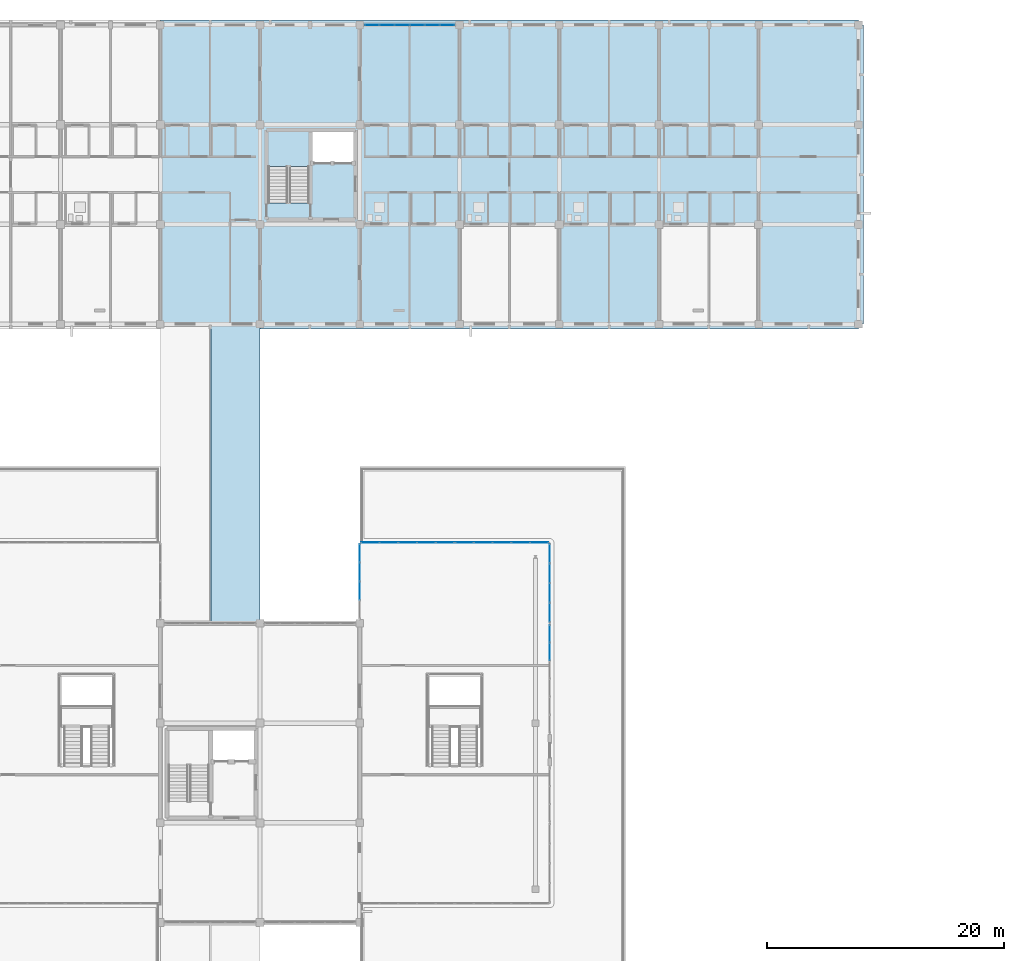
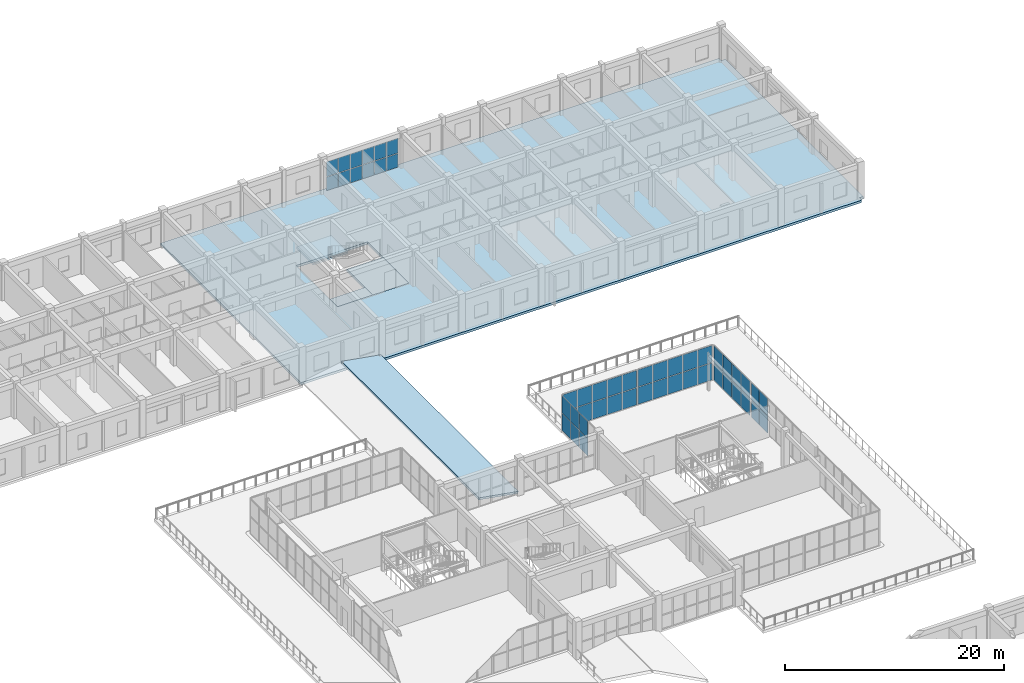
# One storey, part 57 of 90: 50 plates, 5 slabs, 7 elements without a shape of their own.
"""IFC4 building model written with IfcOpenShell, lengths in metres."""

import ifcopenshell
import ifcopenshell.guid

model = None  # the IFC model being written
_history = None  # IfcOwnerHistory: only IFC2X3 demands one
_inside = {}  # id of a spatial element -> (the spatial element, [elements in it])
_under = {}  # id of a project, library or spatial element -> (it, [spatial elements below it])
_declared = {}  # id of a project -> (the project, [libraries it declares])
_typed = {}  # id of a type object -> (the type object, [elements of that type])
_made_of = {}  # id of a material, layer set ... -> (it, [elements and type objects made of it])


def new_model(schema):
    """Start an empty IFC model of exactly this schema.

    Asked for "IFC4X3", IfcOpenShell would pick the latest addendum, in which some entities
    have other attributes; the version numbers below select the first issue.
    IFC2X3 requires an IfcOwnerHistory on every rooted entity: one is made here for all.
    """
    global model, _history
    if schema == "IFC4X3":
        model = ifcopenshell.file(schema_version=(4, 3, 0, 0))
    else:
        model = ifcopenshell.file(schema=schema)
    _inside.clear()
    _under.clear()
    _declared.clear()
    _typed.clear()
    _made_of.clear()
    _history = None
    if model.schema == "IFC2X3":
        org = make("IfcOrganization", Name="unknown")
        user = make(
            "IfcPersonAndOrganization",
            ThePerson=make("IfcPerson", FamilyName="unknown"),
            TheOrganization=org,
        )
        app = make(
            "IfcApplication",
            ApplicationDeveloper=org,
            Version="unknown",
            ApplicationFullName="unknown",
            ApplicationIdentifier="unknown",
        )
        _history = make(
            "IfcOwnerHistory",
            OwningUser=user,
            OwningApplication=app,
            ChangeAction="ADDED",
            CreationDate=0,
        )
    return model


def make(cls, **values):
    """One entity of the class cls with the attributes given. An attribute that is None is left unset."""
    return model.create_entity(
        cls, **{name: value for name, value in values.items() if value is not None}
    )


def rooted(cls, **values):
    """An entity with a GlobalId (a new one), such as an element, a storey or a relation."""
    return make(cls, GlobalId=ifcopenshell.guid.new(), OwnerHistory=_history, **values)


def si_unit(unit_type, name, prefix=None):
    """IfcSIUnit, for example si_unit("LENGTHUNIT", "METRE", prefix="MILLI")."""
    return make("IfcSIUnit", UnitType=unit_type, Prefix=prefix, Name=name)


def assignment(units):
    """IfcUnitAssignment: the units of a project."""
    return None if units is None else make("IfcUnitAssignment", Units=units)


def point(xyz):
    """IfcCartesianPoint."""
    return None if xyz is None else make("IfcCartesianPoint", Coordinates=xyz)


def direction(xyz):
    """IfcDirection."""
    return None if xyz is None else make("IfcDirection", DirectionRatios=xyz)


def frame(location, z_axis=None, x_axis=None):
    """IfcAxis2Placement3D, a coordinate frame: its origin and axes. An axis left out is left unset."""
    return make(
        "IfcAxis2Placement3D",
        Location=point(location),
        Axis=direction(z_axis),
        RefDirection=direction(x_axis),
    )


def frame_2d(location, x_axis=None):
    """IfcAxis2Placement2D, a coordinate frame in the plane: its origin and x axis."""
    return make(
        "IfcAxis2Placement2D", Location=point(location), RefDirection=direction(x_axis)
    )


def origin():
    """The frame at (0, 0, 0) with its axes left unset."""
    return frame((0.0, 0.0, 0.0))


def origin_2d():
    """The frame at (0, 0) in the plane with its x axis left unset."""
    return frame_2d((0.0, 0.0))


def place(relative_to, where):
    """IfcLocalPlacement: puts the frame where relative to a parent placement (None: the world)."""
    return make(
        "IfcLocalPlacement", PlacementRelTo=relative_to, RelativePlacement=where
    )


def context(
    kind, dimensions, precision=None, world=None, true_north=None, identifier=None
):
    """IfcGeometricRepresentationContext, for example the 3D "Model" context."""
    return make(
        "IfcGeometricRepresentationContext",
        ContextIdentifier=identifier,
        ContextType=kind,
        CoordinateSpaceDimension=dimensions,
        Precision=precision,
        WorldCoordinateSystem=world,
        TrueNorth=true_north,
    )


def subcontext(parent, identifier, kind, view, scale=None):
    """IfcGeometricRepresentationSubContext, for example "Body" below "Model"."""
    return make(
        "IfcGeometricRepresentationSubContext",
        ContextIdentifier=identifier,
        ContextType=kind,
        ParentContext=parent,
        TargetScale=scale,
        TargetView=view,
    )


def project(units=None, contexts=None):
    """IfcProject with its units and contexts."""
    return rooted(
        "IfcProject",
        Name="project",
        RepresentationContexts=contexts,
        UnitsInContext=assignment(units),
    )


def spatial(cls, under=None, at=None, **own):
    """A site, building, storey or space (cls), placed at a placement, below another one or the project."""
    s = rooted(cls, ObjectPlacement=at, **own)
    if under is not None:
        _under.setdefault(under.id(), (under, []))[1].append(s)
    return s


def polyline(points):
    """IfcPolyline through the points."""
    return make("IfcPolyline", Points=[point(p) for p in points])


def profile(cls, at=None, kind="AREA", **sizes):
    """A parametric profile (cls). Its sizes go by their IFC names, for example OverallWidth=200.0."""
    return make(cls, ProfileType=kind, Position=at, **sizes)


def rectangle(**sizes):
    """IfcRectangleProfileDef."""
    return profile("IfcRectangleProfileDef", **sizes)


def outline(outer, holes=None, kind="AREA"):
    """IfcArbitraryClosedProfileDef: a profile drawn as a closed curve; with holes, ...WithVoids."""
    if holes is None:
        return make("IfcArbitraryClosedProfileDef", ProfileType=kind, OuterCurve=outer)
    return make(
        "IfcArbitraryProfileDefWithVoids",
        ProfileType=kind,
        OuterCurve=outer,
        InnerCurves=holes,
    )


def extrude(swept, where, along, depth):
    """IfcExtrudedAreaSolid: the profile swept, set in the frame where, extruded along a direction by depth."""
    return make(
        "IfcExtrudedAreaSolid",
        SweptArea=swept,
        Position=where,
        ExtrudedDirection=direction(along),
        Depth=depth,
    )


def shape(context_of_items, identifier, shape_type, items):
    """IfcShapeRepresentation: the items that make up one representation, for example the "Body"."""
    return make(
        "IfcShapeRepresentation",
        ContextOfItems=context_of_items,
        RepresentationIdentifier=identifier,
        RepresentationType=shape_type,
        Items=items,
    )


def material(Name=None, Category=None):
    """IfcMaterial."""
    return make("IfcMaterial", Name=Name, Category=Category)


def layer(
    of_material, thickness, ventilated=None, Name=None, Category=None, Priority=None
):
    """IfcMaterialLayer: one layer of a wall or slab, of a material (None: an air gap)."""
    return make(
        "IfcMaterialLayer",
        Material=of_material,
        LayerThickness=thickness,
        IsVentilated=ventilated,
        Name=Name,
        Category=Category,
        Priority=Priority,
    )


def layer_set(layers, Name=None):
    """IfcMaterialLayerSet."""
    return make("IfcMaterialLayerSet", MaterialLayers=layers, LayerSetName=Name)


def made_of(thing, what):
    """Note that an element or type object is made of a material, layer set ...; save() writes the relation."""
    if what is not None:
        _made_of.setdefault(what.id(), (what, []))[1].append(thing)
    return thing


def type_object(cls, material=None, **own):
    """A type object (cls), such as IfcWallType, which elements share."""
    return made_of(rooted(cls, **own), material)


def element(
    cls,
    number,
    at=None,
    inside=None,
    cuts=None,
    type_object=None,
    material=None,
    context=None,
    identifier="Body",
    shape_type=None,
    held_by="IfcProductDefinitionShape",
    body=None,
    shapes=None,
    **own,
):
    """One element of the class cls, such as IfcWall. Its Tag is "e" and its number.

    at: its placement. inside: the storey or other place that contains it. cuts: it is an
    opening in that element (IfcRelVoidsElement). A single representation is given by context,
    identifier, shape_type and body (its items); several are given by shapes. held_by: the class
    of the entity that holds the representations. save() writes the other relations.
    """
    e = rooted(cls, Tag="e%d" % number, ObjectPlacement=at, **own)
    if body is not None:
        shapes = [shape(context, identifier, shape_type, body)]
    if shapes is not None:
        e.Representation = make(held_by, Representations=shapes)
    if inside is not None:
        _inside.setdefault(inside.id(), (inside, []))[1].append(e)
    if cuts is not None:
        rooted(
            "IfcRelVoidsElement", RelatingBuildingElement=cuts, RelatedOpeningElement=e
        )
    if type_object is not None:
        _typed.setdefault(type_object.id(), (type_object, []))[1].append(e)
    return made_of(e, material)


def aggregate(whole, parts):
    """IfcRelAggregates: a whole, such as a stair, and the parts it consists of."""
    return rooted("IfcRelAggregates", RelatingObject=whole, RelatedObjects=parts)


def save(model, path):
    """Write the relations noted so far, then the file.

    IfcRelAggregates (storeys below a building ...), IfcRelContainedInSpatialStructure (elements
    in a storey), IfcRelDefinesByType, IfcRelAssociatesMaterial and IfcRelDeclares: one each for
    every whole, place, type object, material and project.
    """
    for whole, parts in _under.values():
        aggregate(whole, parts)
    for where, things in _inside.values():
        rooted(
            "IfcRelContainedInSpatialStructure",
            RelatedElements=things,
            RelatingStructure=where,
        )
    for kind, things in _typed.values():
        rooted("IfcRelDefinesByType", RelatedObjects=things, RelatingType=kind)
    for what, things in _made_of.values():
        rooted("IfcRelAssociatesMaterial", RelatedObjects=things, RelatingMaterial=what)
    for by, libraries in _declared.values():
        rooted("IfcRelDeclares", RelatingContext=by, RelatedDefinitions=libraries)
    model.write(path)


model = new_model("IFC4")

# Units and contexts
model_context = context("Model", 3, precision=1e-05, world=origin(), true_north=direction((0.0, 1.0)))
body_context = subcontext(model_context, "Body", "Model", "MODEL_VIEW")
ifc_project = project(units=[si_unit("LENGTHUNIT", "METRE"), si_unit("AREAUNIT", "SQUARE_METRE"), si_unit("VOLUMEUNIT", "CUBIC_METRE"), si_unit("PLANEANGLEUNIT", "RADIAN"), si_unit("MASSUNIT", "GRAM", prefix="KILO")], contexts=[model_context])

# Site, building, storey
site_placement = place(None, origin())
site = spatial("IfcSite", under=ifc_project, at=site_placement, CompositionType="ELEMENT")
building_placement = place(site_placement, origin())
building = spatial("IfcBuilding", under=site, at=building_placement, Name="Trelvath General Hospital", CompositionType="ELEMENT")
storey_placement = place(building_placement, frame((0.0, 0.0, 20.39990234375)))
storey = spatial("IfcBuildingStorey", under=building, at=storey_placement, Name="L05", CompositionType="ELEMENT", Elevation=20.39990234375)

# Curtain wall, plates
ifc_material_1 = material(Name="Anodised aluminium and low-E glass", Category="aluminium")
ifc_layer_1 = layer(ifc_material_1, 0.14990234375)
ifc_layer_set_1 = layer_set([ifc_layer_1], Name="Anodised aluminium and low-E glass")
curtain_wall_type_1 = type_object("IfcCurtainWallType", Name="CW Facade 764 334 15", PredefinedType="USERDEFINED", material=ifc_layer_set_1)
curtain_wall_1_placement = place(storey_placement, origin())
curtain_wall_1 = element("IfcCurtainWall", 1, at=curtain_wall_1_placement, inside=storey, type_object=curtain_wall_type_1, Name="Facade Curtain Wall CW-075", ObjectType="Unitised Glazed Curtain Wall", PredefinedType="USERDEFINED")
ifc_material_2 = material(Name="Low-E laminated glass", Category="glass")
ifc_layer_2 = layer(ifc_material_2, 0.028076171875)
ifc_layer_set_2 = layer_set([ifc_layer_2], Name="Low-E laminated glass")
plate_type = type_object("IfcPlateType", Name="CurtainPanel Glass28", PredefinedType="CURTAIN_PANEL", material=ifc_layer_set_2)
plate_1_placement = place(storey_placement, frame((93.431640625, 117.60009765625, 0.06005859375), z_axis=(0.0, 0.0, 1.0), x_axis=(1.0, 0.0, 0.0)))
plate_1 = element("IfcPlate", 2, at=plate_1_placement, type_object=plate_type, Name="CW-075 panel 1.1", PredefinedType="CURTAIN_PANEL", context=body_context, shape_type="SweptSolid", body=[
    extrude(rectangle(XDim=1.183349609375, YDim=0.028076171875, at=origin_2d()), origin(), (0.0, 0.0, 1.0), 1.512939453125),
])
plate_2_placement = place(storey_placement, frame((93.431640625, 117.60009765625, 1.633056640625), z_axis=(0.0, 0.0, 1.0), x_axis=(1.0, 0.0, 0.0)))
plate_2 = element("IfcPlate", 3, at=plate_2_placement, type_object=plate_type, Name="CW-075 panel 1.2", PredefinedType="CURTAIN_PANEL", context=body_context, shape_type="SweptSolid", body=[
    extrude(rectangle(XDim=1.183349609375, YDim=0.028076171875, at=origin_2d()), origin(), (0.0, 0.0, 1.0), 1.64697265625),
])
plate_3_placement = place(storey_placement, frame((94.68994140625, 117.60009765625, 0.06005859375), z_axis=(0.0, 0.0, 1.0), x_axis=(1.0, 0.0, 0.0)))
plate_3 = element("IfcPlate", 4, at=plate_3_placement, type_object=plate_type, Name="CW-075 panel 2.1", PredefinedType="CURTAIN_PANEL", context=body_context, shape_type="SweptSolid", body=[
    extrude(rectangle(XDim=1.21337890625, YDim=0.028076171875, at=origin_2d()), origin(), (0.0, 0.0, 1.0), 1.512939453125),
])
plate_4_placement = place(storey_placement, frame((94.68994140625, 117.60009765625, 1.633056640625), z_axis=(0.0, 0.0, 1.0), x_axis=(1.0, 0.0, 0.0)))
plate_4 = element("IfcPlate", 5, at=plate_4_placement, type_object=plate_type, Name="CW-075 panel 2.2", PredefinedType="CURTAIN_PANEL", context=body_context, shape_type="SweptSolid", body=[
    extrude(rectangle(XDim=1.21337890625, YDim=0.028076171875, at=origin_2d()), origin(), (0.0, 0.0, 1.0), 1.64697265625),
])
plate_5_placement = place(storey_placement, frame((95.96337890625, 117.60009765625, 0.06005859375), z_axis=(0.0, 0.0, 1.0), x_axis=(1.0, 0.0, 0.0)))
plate_5 = element("IfcPlate", 6, at=plate_5_placement, type_object=plate_type, Name="CW-075 panel 3.1", PredefinedType="CURTAIN_PANEL", context=body_context, shape_type="SweptSolid", body=[
    extrude(rectangle(XDim=1.21337890625, YDim=0.028076171875, at=origin_2d()), origin(), (0.0, 0.0, 1.0), 1.512939453125),
])
plate_6_placement = place(storey_placement, frame((95.96337890625, 117.60009765625, 1.633056640625), z_axis=(0.0, 0.0, 1.0), x_axis=(1.0, 0.0, 0.0)))
plate_6 = element("IfcPlate", 7, at=plate_6_placement, type_object=plate_type, Name="CW-075 panel 3.2", PredefinedType="CURTAIN_PANEL", context=body_context, shape_type="SweptSolid", body=[
    extrude(rectangle(XDim=1.21337890625, YDim=0.028076171875, at=origin_2d()), origin(), (0.0, 0.0, 1.0), 1.64697265625),
])
plate_7_placement = place(storey_placement, frame((97.236572265625, 117.60009765625, 0.06005859375), z_axis=(0.0, 0.0, 1.0), x_axis=(1.0, 0.0, 0.0)))
plate_7 = element("IfcPlate", 8, at=plate_7_placement, type_object=plate_type, Name="CW-075 panel 4.1", PredefinedType="CURTAIN_PANEL", context=body_context, shape_type="SweptSolid", body=[
    extrude(rectangle(XDim=1.21337890625, YDim=0.028076171875, at=origin_2d()), origin(), (0.0, 0.0, 1.0), 1.512939453125),
])
plate_8_placement = place(storey_placement, frame((97.236572265625, 117.60009765625, 1.633056640625), z_axis=(0.0, 0.0, 1.0), x_axis=(1.0, 0.0, 0.0)))
plate_8 = element("IfcPlate", 9, at=plate_8_placement, type_object=plate_type, Name="CW-075 panel 4.2", PredefinedType="CURTAIN_PANEL", context=body_context, shape_type="SweptSolid", body=[
    extrude(rectangle(XDim=1.21337890625, YDim=0.028076171875, at=origin_2d()), origin(), (0.0, 0.0, 1.0), 1.64697265625),
])
plate_9_placement = place(storey_placement, frame((98.510009765625, 117.60009765625, 0.06005859375), z_axis=(0.0, 0.0, 1.0), x_axis=(1.0, 0.0, 0.0)))
plate_9 = element("IfcPlate", 10, at=plate_9_placement, type_object=plate_type, Name="CW-075 panel 5.1", PredefinedType="CURTAIN_PANEL", context=body_context, shape_type="SweptSolid", body=[
    extrude(rectangle(XDim=1.21337890625, YDim=0.028076171875, at=origin_2d()), origin(), (0.0, 0.0, 1.0), 1.512939453125),
])
plate_10_placement = place(storey_placement, frame((98.510009765625, 117.60009765625, 1.633056640625), z_axis=(0.0, 0.0, 1.0), x_axis=(1.0, 0.0, 0.0)))
plate_10 = element("IfcPlate", 11, at=plate_10_placement, type_object=plate_type, Name="CW-075 panel 5.2", PredefinedType="CURTAIN_PANEL", context=body_context, shape_type="SweptSolid", body=[
    extrude(rectangle(XDim=1.21337890625, YDim=0.028076171875, at=origin_2d()), origin(), (0.0, 0.0, 1.0), 1.64697265625),
])
plate_11_placement = place(storey_placement, frame((99.768310546875, 117.60009765625, 0.06005859375), z_axis=(0.0, 0.0, 1.0), x_axis=(1.0, 0.0, 0.0)))
plate_11 = element("IfcPlate", 12, at=plate_11_placement, type_object=plate_type, Name="CW-075 panel 6.1", PredefinedType="CURTAIN_PANEL", context=body_context, shape_type="SweptSolid", body=[
    extrude(rectangle(XDim=1.183349609375, YDim=0.028076171875, at=origin_2d()), origin(), (0.0, 0.0, 1.0), 1.512939453125),
])
plate_12_placement = place(storey_placement, frame((99.768310546875, 117.60009765625, 1.633056640625), z_axis=(0.0, 0.0, 1.0), x_axis=(1.0, 0.0, 0.0)))
plate_12 = element("IfcPlate", 13, at=plate_12_placement, type_object=plate_type, Name="CW-075 panel 6.2", PredefinedType="CURTAIN_PANEL", context=body_context, shape_type="SweptSolid", body=[
    extrude(rectangle(XDim=1.183349609375, YDim=0.028076171875, at=origin_2d()), origin(), (0.0, 0.0, 1.0), 1.64697265625),
])
aggregate(curtain_wall_1, [plate_1, plate_2, plate_3, plate_4, plate_5, plate_6, plate_7, plate_8, plate_9, plate_10, plate_11, plate_12])

ifc_material_3 = material(Name="Anodised aluminium and low-E glass", Category="aluminium")
ifc_layer_3 = layer(ifc_material_3, 0.14990234375)
ifc_layer_set_3 = layer_set([ifc_layer_3], Name="Anodised aluminium and low-E glass")
curtain_wall_type_2 = type_object("IfcCurtainWallType", Name="CW CrystalCube 790 396 15", PredefinedType="USERDEFINED", material=ifc_layer_set_3)
curtain_wall_2_placement = place(storey_placement, origin())
curtain_wall_2 = element("IfcCurtainWall", 14, at=curtain_wall_2_placement, inside=storey, type_object=curtain_wall_type_2, Name="Crystal Cube Curtain Wall CUBE-E-T2 N1 L05", ObjectType="Unitised Glazed Curtain Wall", PredefinedType="USERDEFINED")
plate_13_placement = place(storey_placement, frame((93.284912109375, 74.0, 0.06005859375), z_axis=(0.0, 0.0, 1.0), x_axis=(1.0, 0.0, 0.0)))
plate_13 = element("IfcPlate", 15, at=plate_13_placement, type_object=plate_type, Name="CW-317 panel 1.1", PredefinedType="CURTAIN_PANEL", context=body_context, shape_type="SweptSolid", body=[
    extrude(rectangle(XDim=1.489990234375, YDim=0.028076171875, at=origin_2d()), origin(), (0.0, 0.0, 1.0), 1.889892578125),
])
plate_14_placement = place(storey_placement, frame((93.284912109375, 74.0, 2.01025390625), z_axis=(0.0, 0.0, 1.0), x_axis=(1.0, 0.0, 0.0)))
plate_14 = element("IfcPlate", 16, at=plate_14_placement, type_object=plate_type, Name="CW-317 panel 1.2", PredefinedType="CURTAIN_PANEL", context=body_context, shape_type="SweptSolid", body=[
    extrude(rectangle(XDim=1.489990234375, YDim=0.028076171875, at=origin_2d()), origin(), (0.0, 0.0, 1.0), 1.889892578125),
])
plate_15_placement = place(storey_placement, frame((94.85009765625, 74.0, 0.06005859375), z_axis=(0.0, 0.0, 1.0), x_axis=(1.0, 0.0, 0.0)))
plate_15 = element("IfcPlate", 17, at=plate_15_placement, type_object=plate_type, Name="CW-317 panel 2.1", PredefinedType="CURTAIN_PANEL", context=body_context, shape_type="SweptSolid", body=[
    extrude(rectangle(XDim=1.52001953125, YDim=0.028076171875, at=origin_2d()), origin(), (0.0, 0.0, 1.0), 1.889892578125),
])
plate_16_placement = place(storey_placement, frame((94.85009765625, 74.0, 2.01025390625), z_axis=(0.0, 0.0, 1.0), x_axis=(1.0, 0.0, 0.0)))
plate_16 = element("IfcPlate", 18, at=plate_16_placement, type_object=plate_type, Name="CW-317 panel 2.2", PredefinedType="CURTAIN_PANEL", context=body_context, shape_type="SweptSolid", body=[
    extrude(rectangle(XDim=1.52001953125, YDim=0.028076171875, at=origin_2d()), origin(), (0.0, 0.0, 1.0), 1.889892578125),
])
plate_17_placement = place(storey_placement, frame((96.429931640625, 74.0, 0.06005859375), z_axis=(0.0, 0.0, 1.0), x_axis=(1.0, 0.0, 0.0)))
plate_17 = element("IfcPlate", 19, at=plate_17_placement, type_object=plate_type, Name="CW-317 panel 3.1", PredefinedType="CURTAIN_PANEL", context=body_context, shape_type="SweptSolid", body=[
    extrude(rectangle(XDim=1.52001953125, YDim=0.028076171875, at=origin_2d()), origin(), (0.0, 0.0, 1.0), 1.889892578125),
])
plate_18_placement = place(storey_placement, frame((96.429931640625, 74.0, 2.01025390625), z_axis=(0.0, 0.0, 1.0), x_axis=(1.0, 0.0, 0.0)))
plate_18 = element("IfcPlate", 20, at=plate_18_placement, type_object=plate_type, Name="CW-317 panel 3.2", PredefinedType="CURTAIN_PANEL", context=body_context, shape_type="SweptSolid", body=[
    extrude(rectangle(XDim=1.52001953125, YDim=0.028076171875, at=origin_2d()), origin(), (0.0, 0.0, 1.0), 1.889892578125),
])
plate_19_placement = place(storey_placement, frame((98.010009765625, 74.0, 0.06005859375), z_axis=(0.0, 0.0, 1.0), x_axis=(1.0, 0.0, 0.0)))
plate_19 = element("IfcPlate", 21, at=plate_19_placement, type_object=plate_type, Name="CW-317 panel 4.1", PredefinedType="CURTAIN_PANEL", context=body_context, shape_type="SweptSolid", body=[
    extrude(rectangle(XDim=1.52001953125, YDim=0.028076171875, at=origin_2d()), origin(), (0.0, 0.0, 1.0), 1.889892578125),
])
plate_20_placement = place(storey_placement, frame((98.010009765625, 74.0, 2.01025390625), z_axis=(0.0, 0.0, 1.0), x_axis=(1.0, 0.0, 0.0)))
plate_20 = element("IfcPlate", 22, at=plate_20_placement, type_object=plate_type, Name="CW-317 panel 4.2", PredefinedType="CURTAIN_PANEL", context=body_context, shape_type="SweptSolid", body=[
    extrude(rectangle(XDim=1.52001953125, YDim=0.028076171875, at=origin_2d()), origin(), (0.0, 0.0, 1.0), 1.889892578125),
])
plate_21_placement = place(storey_placement, frame((99.574951171875, 74.0, 0.06005859375), z_axis=(0.0, 0.0, 1.0), x_axis=(1.0, 0.0, 0.0)))
plate_21 = element("IfcPlate", 23, at=plate_21_placement, type_object=plate_type, Name="CW-317 panel 5.1", PredefinedType="CURTAIN_PANEL", context=body_context, shape_type="SweptSolid", body=[
    extrude(rectangle(XDim=1.489990234375, YDim=0.028076171875, at=origin_2d()), origin(), (0.0, 0.0, 1.0), 1.889892578125),
])
plate_22_placement = place(storey_placement, frame((99.574951171875, 74.0, 2.01025390625), z_axis=(0.0, 0.0, 1.0), x_axis=(1.0, 0.0, 0.0)))
plate_22 = element("IfcPlate", 24, at=plate_22_placement, type_object=plate_type, Name="CW-317 panel 5.2", PredefinedType="CURTAIN_PANEL", context=body_context, shape_type="SweptSolid", body=[
    extrude(rectangle(XDim=1.489990234375, YDim=0.028076171875, at=origin_2d()), origin(), (0.0, 0.0, 1.0), 1.889892578125),
])
aggregate(curtain_wall_2, [plate_13, plate_14, plate_15, plate_16, plate_17, plate_18, plate_19, plate_20, plate_21, plate_22])

curtain_wall_3_placement = place(storey_placement, origin())
curtain_wall_3 = element("IfcCurtainWall", 25, at=curtain_wall_3_placement, inside=storey, type_object=curtain_wall_type_2, Name="Crystal Cube Curtain Wall CUBE-E-T2 N2 L05", ObjectType="Unitised Glazed Curtain Wall", PredefinedType="USERDEFINED")
plate_23_placement = place(storey_placement, frame((101.22509765625, 74.0, 0.06005859375), z_axis=(0.0, 0.0, 1.0), x_axis=(1.0, 0.0, 0.0)))
plate_23 = element("IfcPlate", 26, at=plate_23_placement, type_object=plate_type, Name="CW-318 panel 1.1", PredefinedType="CURTAIN_PANEL", context=body_context, shape_type="SweptSolid", body=[
    extrude(rectangle(XDim=1.489990234375, YDim=0.028076171875, at=origin_2d()), origin(), (0.0, 0.0, 1.0), 1.889892578125),
])
plate_24_placement = place(storey_placement, frame((101.22509765625, 74.0, 2.01025390625), z_axis=(0.0, 0.0, 1.0), x_axis=(1.0, 0.0, 0.0)))
plate_24 = element("IfcPlate", 27, at=plate_24_placement, type_object=plate_type, Name="CW-318 panel 1.2", PredefinedType="CURTAIN_PANEL", context=body_context, shape_type="SweptSolid", body=[
    extrude(rectangle(XDim=1.489990234375, YDim=0.028076171875, at=origin_2d()), origin(), (0.0, 0.0, 1.0), 1.889892578125),
])
plate_25_placement = place(storey_placement, frame((102.7900390625, 74.0, 0.06005859375), z_axis=(0.0, 0.0, 1.0), x_axis=(1.0, 0.0, 0.0)))
plate_25 = element("IfcPlate", 28, at=plate_25_placement, type_object=plate_type, Name="CW-318 panel 2.1", PredefinedType="CURTAIN_PANEL", context=body_context, shape_type="SweptSolid", body=[
    extrude(rectangle(XDim=1.52001953125, YDim=0.028076171875, at=origin_2d()), origin(), (0.0, 0.0, 1.0), 1.889892578125),
])
plate_26_placement = place(storey_placement, frame((102.7900390625, 74.0, 2.01025390625), z_axis=(0.0, 0.0, 1.0), x_axis=(1.0, 0.0, 0.0)))
plate_26 = element("IfcPlate", 29, at=plate_26_placement, type_object=plate_type, Name="CW-318 panel 2.2", PredefinedType="CURTAIN_PANEL", context=body_context, shape_type="SweptSolid", body=[
    extrude(rectangle(XDim=1.52001953125, YDim=0.028076171875, at=origin_2d()), origin(), (0.0, 0.0, 1.0), 1.889892578125),
])
plate_27_placement = place(storey_placement, frame((104.3701171875, 74.0, 0.06005859375), z_axis=(0.0, 0.0, 1.0), x_axis=(1.0, 0.0, 0.0)))
plate_27 = element("IfcPlate", 30, at=plate_27_placement, type_object=plate_type, Name="CW-318 panel 3.1", PredefinedType="CURTAIN_PANEL", context=body_context, shape_type="SweptSolid", body=[
    extrude(rectangle(XDim=1.52001953125, YDim=0.028076171875, at=origin_2d()), origin(), (0.0, 0.0, 1.0), 1.889892578125),
])
plate_28_placement = place(storey_placement, frame((104.3701171875, 74.0, 2.01025390625), z_axis=(0.0, 0.0, 1.0), x_axis=(1.0, 0.0, 0.0)))
plate_28 = element("IfcPlate", 31, at=plate_28_placement, type_object=plate_type, Name="CW-318 panel 3.2", PredefinedType="CURTAIN_PANEL", context=body_context, shape_type="SweptSolid", body=[
    extrude(rectangle(XDim=1.52001953125, YDim=0.028076171875, at=origin_2d()), origin(), (0.0, 0.0, 1.0), 1.889892578125),
])
plate_29_placement = place(storey_placement, frame((105.949951171875, 74.0, 0.06005859375), z_axis=(0.0, 0.0, 1.0), x_axis=(1.0, 0.0, 0.0)))
plate_29 = element("IfcPlate", 32, at=plate_29_placement, type_object=plate_type, Name="CW-318 panel 4.1", PredefinedType="CURTAIN_PANEL", context=body_context, shape_type="SweptSolid", body=[
    extrude(rectangle(XDim=1.52001953125, YDim=0.028076171875, at=origin_2d()), origin(), (0.0, 0.0, 1.0), 1.889892578125),
])
plate_30_placement = place(storey_placement, frame((105.949951171875, 74.0, 2.01025390625), z_axis=(0.0, 0.0, 1.0), x_axis=(1.0, 0.0, 0.0)))
plate_30 = element("IfcPlate", 33, at=plate_30_placement, type_object=plate_type, Name="CW-318 panel 4.2", PredefinedType="CURTAIN_PANEL", context=body_context, shape_type="SweptSolid", body=[
    extrude(rectangle(XDim=1.52001953125, YDim=0.028076171875, at=origin_2d()), origin(), (0.0, 0.0, 1.0), 1.889892578125),
])
plate_31_placement = place(storey_placement, frame((107.514892578125, 74.0, 0.06005859375), z_axis=(0.0, 0.0, 1.0), x_axis=(1.0, 0.0, 0.0)))
plate_31 = element("IfcPlate", 34, at=plate_31_placement, type_object=plate_type, Name="CW-318 panel 5.1", PredefinedType="CURTAIN_PANEL", context=body_context, shape_type="SweptSolid", body=[
    extrude(rectangle(XDim=1.489990234375, YDim=0.028076171875, at=origin_2d()), origin(), (0.0, 0.0, 1.0), 1.889892578125),
])
plate_32_placement = place(storey_placement, frame((107.514892578125, 74.0, 2.01025390625), z_axis=(0.0, 0.0, 1.0), x_axis=(1.0, 0.0, 0.0)))
plate_32 = element("IfcPlate", 35, at=plate_32_placement, type_object=plate_type, Name="CW-318 panel 5.2", PredefinedType="CURTAIN_PANEL", context=body_context, shape_type="SweptSolid", body=[
    extrude(rectangle(XDim=1.489990234375, YDim=0.028076171875, at=origin_2d()), origin(), (0.0, 0.0, 1.0), 1.889892578125),
])
aggregate(curtain_wall_3, [plate_23, plate_24, plate_25, plate_26, plate_27, plate_28, plate_29, plate_30, plate_31, plate_32])

ifc_material_4 = material(Name="Anodised aluminium and low-E glass", Category="aluminium")
ifc_layer_4 = layer(ifc_material_4, 0.14990234375)
ifc_layer_set_4 = layer_set([ifc_layer_4], Name="Anodised aluminium and low-E glass")
curtain_wall_type_3 = type_object("IfcCurtainWallType", Name="CW CrystalCube 914 396 15", PredefinedType="USERDEFINED", material=ifc_layer_set_4)
curtain_wall_4_placement = place(storey_placement, origin())
curtain_wall_4 = element("IfcCurtainWall", 36, at=curtain_wall_4_placement, inside=storey, type_object=curtain_wall_type_3, Name="Crystal Cube Curtain Wall CUBE-E-T2 E4 L05", ObjectType="Unitised Glazed Curtain Wall", PredefinedType="USERDEFINED")
plate_33_placement = place(storey_placement, frame((108.39990234375, 66.34326171875, 0.06005859375), z_axis=(0.0, 0.0, 1.0), x_axis=(0.0, -1.0, 0.0)))
plate_33 = element("IfcPlate", 37, at=plate_33_placement, type_object=plate_type, Name="CW-321 panel 1.1", PredefinedType="CURTAIN_PANEL", context=body_context, shape_type="SweptSolid", body=[
    extrude(rectangle(XDim=1.433349609375, YDim=0.028076171875, at=origin_2d()), origin(), (0.0, 0.0, 1.0), 1.889892578125),
])
plate_34_placement = place(storey_placement, frame((108.39990234375, 66.34326171875, 2.01025390625), z_axis=(0.0, 0.0, 1.0), x_axis=(0.0, -1.0, 0.0)))
plate_34 = element("IfcPlate", 38, at=plate_34_placement, type_object=plate_type, Name="CW-321 panel 1.2", PredefinedType="CURTAIN_PANEL", context=body_context, shape_type="SweptSolid", body=[
    extrude(rectangle(XDim=1.433349609375, YDim=0.028076171875, at=origin_2d()), origin(), (0.0, 0.0, 1.0), 1.889892578125),
])
plate_35_placement = place(storey_placement, frame((108.39990234375, 64.8349609375, 0.06005859375), z_axis=(0.0, 0.0, 1.0), x_axis=(0.0, -1.0, 0.0)))
plate_35 = element("IfcPlate", 39, at=plate_35_placement, type_object=plate_type, Name="CW-321 panel 2.1", PredefinedType="CURTAIN_PANEL", context=body_context, shape_type="SweptSolid", body=[
    extrude(rectangle(XDim=1.46337890625, YDim=0.028076171875, at=origin_2d()), origin(), (0.0, 0.0, 1.0), 1.889892578125),
])
plate_36_placement = place(storey_placement, frame((108.39990234375, 64.8349609375, 2.01025390625), z_axis=(0.0, 0.0, 1.0), x_axis=(0.0, -1.0, 0.0)))
plate_36 = element("IfcPlate", 40, at=plate_36_placement, type_object=plate_type, Name="CW-321 panel 2.2", PredefinedType="CURTAIN_PANEL", context=body_context, shape_type="SweptSolid", body=[
    extrude(rectangle(XDim=1.46337890625, YDim=0.028076171875, at=origin_2d()), origin(), (0.0, 0.0, 1.0), 1.889892578125),
])
aggregate(curtain_wall_4, [plate_33, plate_34, plate_35, plate_36])

ifc_material_5 = material(Name="Anodised aluminium and low-E glass", Category="aluminium")
ifc_layer_5 = layer(ifc_material_5, 0.14990234375)
ifc_layer_set_5 = layer_set([ifc_layer_5], Name="Anodised aluminium and low-E glass")
curtain_wall_type_4 = type_object("IfcCurtainWallType", Name="CW CrystalCube 664 396 15", PredefinedType="USERDEFINED", material=ifc_layer_set_5)
curtain_wall_5_placement = place(storey_placement, origin())
curtain_wall_5 = element("IfcCurtainWall", 41, at=curtain_wall_5_placement, inside=storey, type_object=curtain_wall_type_4, Name="Crystal Cube Curtain Wall CUBE-E-T2 E5 L05", ObjectType="Unitised Glazed Curtain Wall", PredefinedType="USERDEFINED")
plate_37_placement = place(storey_placement, frame((108.39990234375, 73.074951171875, 0.06005859375), z_axis=(0.0, 0.0, 1.0), x_axis=(0.0, -1.0, 0.0)))
plate_37 = element("IfcPlate", 42, at=plate_37_placement, type_object=plate_type, Name="CW-322 panel 1.1", PredefinedType="CURTAIN_PANEL", context=body_context, shape_type="SweptSolid", body=[
    extrude(rectangle(XDim=1.570068359375, YDim=0.028076171875, at=origin_2d()), origin(), (0.0, 0.0, 1.0), 1.889892578125),
])
plate_38_placement = place(storey_placement, frame((108.39990234375, 73.074951171875, 2.01025390625), z_axis=(0.0, 0.0, 1.0), x_axis=(0.0, -1.0, 0.0)))
plate_38 = element("IfcPlate", 43, at=plate_38_placement, type_object=plate_type, Name="CW-322 panel 1.2", PredefinedType="CURTAIN_PANEL", context=body_context, shape_type="SweptSolid", body=[
    extrude(rectangle(XDim=1.570068359375, YDim=0.028076171875, at=origin_2d()), origin(), (0.0, 0.0, 1.0), 1.889892578125),
])
plate_39_placement = place(storey_placement, frame((108.39990234375, 71.429931640625, 0.06005859375), z_axis=(0.0, 0.0, 1.0), x_axis=(0.0, -1.0, 0.0)))
plate_39 = element("IfcPlate", 44, at=plate_39_placement, type_object=plate_type, Name="CW-322 panel 2.1", PredefinedType="CURTAIN_PANEL", context=body_context, shape_type="SweptSolid", body=[
    extrude(rectangle(XDim=1.60009765625, YDim=0.028076171875, at=origin_2d()), origin(), (0.0, 0.0, 1.0), 1.889892578125),
])
plate_40_placement = place(storey_placement, frame((108.39990234375, 71.429931640625, 2.01025390625), z_axis=(0.0, 0.0, 1.0), x_axis=(0.0, -1.0, 0.0)))
plate_40 = element("IfcPlate", 45, at=plate_40_placement, type_object=plate_type, Name="CW-322 panel 2.2", PredefinedType="CURTAIN_PANEL", context=body_context, shape_type="SweptSolid", body=[
    extrude(rectangle(XDim=1.60009765625, YDim=0.028076171875, at=origin_2d()), origin(), (0.0, 0.0, 1.0), 1.889892578125),
])
plate_41_placement = place(storey_placement, frame((108.39990234375, 69.77001953125, 0.06005859375), z_axis=(0.0, 0.0, 1.0), x_axis=(0.0, -1.0, 0.0)))
plate_41 = element("IfcPlate", 46, at=plate_41_placement, type_object=plate_type, Name="CW-322 panel 3.1", PredefinedType="CURTAIN_PANEL", context=body_context, shape_type="SweptSolid", body=[
    extrude(rectangle(XDim=1.60009765625, YDim=0.028076171875, at=origin_2d()), origin(), (0.0, 0.0, 1.0), 1.889892578125),
])
plate_42_placement = place(storey_placement, frame((108.39990234375, 69.77001953125, 2.01025390625), z_axis=(0.0, 0.0, 1.0), x_axis=(0.0, -1.0, 0.0)))
plate_42 = element("IfcPlate", 47, at=plate_42_placement, type_object=plate_type, Name="CW-322 panel 3.2", PredefinedType="CURTAIN_PANEL", context=body_context, shape_type="SweptSolid", body=[
    extrude(rectangle(XDim=1.60009765625, YDim=0.028076171875, at=origin_2d()), origin(), (0.0, 0.0, 1.0), 1.889892578125),
])
plate_43_placement = place(storey_placement, frame((108.39990234375, 68.125, 0.06005859375), z_axis=(0.0, 0.0, 1.0), x_axis=(0.0, -1.0, 0.0)))
plate_43 = element("IfcPlate", 48, at=plate_43_placement, type_object=plate_type, Name="CW-322 panel 4.1", PredefinedType="CURTAIN_PANEL", context=body_context, shape_type="SweptSolid", body=[
    extrude(rectangle(XDim=1.570068359375, YDim=0.028076171875, at=origin_2d()), origin(), (0.0, 0.0, 1.0), 1.889892578125),
])
plate_44_placement = place(storey_placement, frame((108.39990234375, 68.125, 2.01025390625), z_axis=(0.0, 0.0, 1.0), x_axis=(0.0, -1.0, 0.0)))
plate_44 = element("IfcPlate", 49, at=plate_44_placement, type_object=plate_type, Name="CW-322 panel 4.2", PredefinedType="CURTAIN_PANEL", context=body_context, shape_type="SweptSolid", body=[
    extrude(rectangle(XDim=1.570068359375, YDim=0.028076171875, at=origin_2d()), origin(), (0.0, 0.0, 1.0), 1.889892578125),
])
aggregate(curtain_wall_5, [plate_37, plate_38, plate_39, plate_40, plate_41, plate_42, plate_43, plate_44])

ifc_material_6 = material(Name="Anodised aluminium and low-E glass", Category="aluminium")
ifc_layer_6 = layer(ifc_material_6, 0.14990234375)
ifc_layer_set_6 = layer_set([ifc_layer_6], Name="Anodised aluminium and low-E glass")
curtain_wall_type_5 = type_object("IfcCurtainWallType", Name="CW CrystalCube 636 396 15", PredefinedType="USERDEFINED", material=ifc_layer_set_6)
curtain_wall_6_placement = place(storey_placement, origin())
curtain_wall_6 = element("IfcCurtainWall", 50, at=curtain_wall_6_placement, inside=storey, type_object=curtain_wall_type_5, Name="Crystal Cube Curtain Wall CUBE-E-T2 W5 L05", ObjectType="Unitised Glazed Curtain Wall", PredefinedType="USERDEFINED")
plate_45_placement = place(storey_placement, frame((92.39990234375, 69.94189453125, 0.06005859375), z_axis=(0.0, 0.0, 1.0), x_axis=(0.0, 1.0, 0.0)))
plate_45 = element("IfcPlate", 51, at=plate_45_placement, type_object=plate_type, Name="CW-323 panel 2.1", PredefinedType="CURTAIN_PANEL", context=body_context, shape_type="SweptSolid", body=[
    extrude(rectangle(XDim=1.53125, YDim=0.028076171875, at=origin_2d()), origin(), (0.0, 0.0, 1.0), 1.889892578125),
])
plate_46_placement = place(storey_placement, frame((92.39990234375, 69.94189453125, 2.01025390625), z_axis=(0.0, 0.0, 1.0), x_axis=(0.0, 1.0, 0.0)))
plate_46 = element("IfcPlate", 52, at=plate_46_placement, type_object=plate_type, Name="CW-323 panel 2.2", PredefinedType="CURTAIN_PANEL", context=body_context, shape_type="SweptSolid", body=[
    extrude(rectangle(XDim=1.53125, YDim=0.028076171875, at=origin_2d()), origin(), (0.0, 0.0, 1.0), 1.889892578125),
])
plate_47_placement = place(storey_placement, frame((92.39990234375, 71.533203125, 0.06005859375), z_axis=(0.0, 0.0, 1.0), x_axis=(0.0, 1.0, 0.0)))
plate_47 = element("IfcPlate", 53, at=plate_47_placement, type_object=plate_type, Name="CW-323 panel 3.1", PredefinedType="CURTAIN_PANEL", context=body_context, shape_type="SweptSolid", body=[
    extrude(rectangle(XDim=1.53125, YDim=0.028076171875, at=origin_2d()), origin(), (0.0, 0.0, 1.0), 1.889892578125),
])
plate_48_placement = place(storey_placement, frame((92.39990234375, 71.533203125, 2.01025390625), z_axis=(0.0, 0.0, 1.0), x_axis=(0.0, 1.0, 0.0)))
plate_48 = element("IfcPlate", 54, at=plate_48_placement, type_object=plate_type, Name="CW-323 panel 3.2", PredefinedType="CURTAIN_PANEL", context=body_context, shape_type="SweptSolid", body=[
    extrude(rectangle(XDim=1.53125, YDim=0.028076171875, at=origin_2d()), origin(), (0.0, 0.0, 1.0), 1.889892578125),
])
plate_49_placement = place(storey_placement, frame((92.39990234375, 73.109375, 0.06005859375), z_axis=(0.0, 0.0, 1.0), x_axis=(0.0, 1.0, 0.0)))
plate_49 = element("IfcPlate", 55, at=plate_49_placement, type_object=plate_type, Name="CW-323 panel 4.1", PredefinedType="CURTAIN_PANEL", context=body_context, shape_type="SweptSolid", body=[
    extrude(rectangle(XDim=1.501220703125, YDim=0.028076171875, at=origin_2d()), origin(), (0.0, 0.0, 1.0), 1.889892578125),
])
plate_50_placement = place(storey_placement, frame((92.39990234375, 73.109375, 2.01025390625), z_axis=(0.0, 0.0, 1.0), x_axis=(0.0, 1.0, 0.0)))
plate_50 = element("IfcPlate", 56, at=plate_50_placement, type_object=plate_type, Name="CW-323 panel 4.2", PredefinedType="CURTAIN_PANEL", context=body_context, shape_type="SweptSolid", body=[
    extrude(rectangle(XDim=1.501220703125, YDim=0.028076171875, at=origin_2d()), origin(), (0.0, 0.0, 1.0), 1.889892578125),
])
aggregate(curtain_wall_6, [plate_45, plate_46, plate_47, plate_48, plate_49, plate_50])

# Slabs
ifc_material_7 = material(Name="Concrete C35/45", Category="concrete")
ifc_layer_7 = layer(ifc_material_7, 0.260009765625)
ifc_layer_set_7 = layer_set([ifc_layer_7], Name="Concrete C35/45")
slab_type_1 = type_object("IfcSlabType", Name="FlatSlab Ward260", PredefinedType="FLOOR", material=ifc_layer_set_7)
slab_1_placement = place(storey_placement, frame((0.0, 0.0, -0.260009765625)))
element("IfcSlab", 57, at=slab_1_placement, inside=storey, type_object=slab_type_1, Name="Floor Slab SL-L05-V5-N1", PredefinedType="FLOOR", context=body_context, shape_type="SweptSolid", body=[
    extrude(outline(polyline([(75.6201171875, 92.39990234375), (75.6201171875, 118.02001953125), (134.39990234375, 118.02001953125), (134.39990234375, 117.60009765625), (134.820068359375, 117.60009765625), (134.820068359375, 92.39990234375), (134.39990234375, 92.39990234375), (134.39990234375, 91.97998046875), (84.0, 91.97998046875), (84.0, 92.39990234375), (75.6201171875, 92.39990234375)]), holes=[polyline([(84.550048828125, 101.199951171875), (92.050048828125, 101.199951171875), (92.050048828125, 108.75), (84.550048828125, 108.75), (84.550048828125, 101.199951171875)])]), origin(), (0.0, 0.0, 1.0), 0.260009765625),
])
slab_2_placement = place(storey_placement, frame((0.0, 0.0, -0.260009765625)))
element("IfcSlab", 58, at=slab_2_placement, inside=storey, type_object=slab_type_1, Name="Core Lobby Slab C2 L05", PredefinedType="FLOOR", context=body_context, shape_type="SweptSolid", body=[
    extrude(outline(polyline([(88.25, 101.199951171875), (92.050048828125, 101.199951171875), (92.050048828125, 105.949951171875), (88.25, 105.949951171875), (88.25, 101.199951171875)])), origin(), (0.0, 0.0, 1.0), 0.260009765625),
])
slab_3_placement = place(storey_placement, frame((0.0, 0.0, -0.260009765625)))
element("IfcSlab", 59, at=slab_3_placement, inside=storey, type_object=slab_type_1, Name="Stair Landing Slab C2 L05", PredefinedType="FLOOR", context=body_context, shape_type="SweptSolid", body=[
    extrude(outline(polyline([(84.550048828125, 101.199951171875), (88.25, 101.199951171875), (88.25, 102.60009765625), (84.550048828125, 102.60009765625), (84.550048828125, 101.199951171875)])), origin(), (0.0, 0.0, 1.0), 0.260009765625),
])
ifc_material_8 = material(Name="Concrete C35/45", Category="concrete")
ifc_layer_8 = layer(ifc_material_8, 0.219970703125)
ifc_layer_set_8 = layer_set([ifc_layer_8], Name="Concrete C35/45")
slab_type_2 = type_object("IfcSlabType", Name="RoofSlab Folded220", PredefinedType="ROOF", material=ifc_layer_set_8)
slab_4_placement = place(storey_placement, frame((79.85009765625, 67.260009765625, 0.9501953125), z_axis=(0.171798287749, 0.0, 0.985132147647), x_axis=(0.985132147647, 0.0, -0.171798287749)))
element("IfcSlab", 60, at=slab_4_placement, inside=storey, type_object=slab_type_2, Name="Glazed Bridge Gable Roof BRG-N-C E", PredefinedType="ROOF", context=body_context, shape_type="SweptSolid", body=[
    extrude(outline(polyline([(0.0, 0.0), (4.19221200157396, 0.0), (4.19221200157396, 25.080078125000007), (0.0, 25.080078125000007), (0.0, 0.0)])), origin(), (0.0, 0.0, -1.0), 0.219970703125),
])

# Stair, slab
ifc_material_9 = material(Name="Concrete C35/45", Category="concrete")
stair_type = type_object("IfcStairType", Name="Stair Stretcher420", PredefinedType="TWO_STRAIGHT_RUN_STAIR", material=ifc_material_9)
stair_placement = place(storey_placement, origin())
stair = element("IfcStair", 61, at=stair_placement, inside=storey, type_object=stair_type, Name="Exit Stair ST2 L05", PredefinedType="TWO_STRAIGHT_RUN_STAIR")
ifc_material_10 = material(Name="Concrete C35/45", Category="concrete")
ifc_layer_9 = layer(ifc_material_10, 0.199951171875)
ifc_layer_set_9 = layer_set([ifc_layer_9], Name="Concrete C35/45")
slab_type_3 = type_object("IfcSlabType", Name="StairLanding 200", PredefinedType="LANDING", material=ifc_layer_set_9)
slab_5_placement = place(storey_placement, frame((0.0, 0.0, 1.900146484375)))
slab_5 = element("IfcSlab", 62, at=slab_5_placement, type_object=slab_type_3, Name="ST2-L05 landing 1", PredefinedType="LANDING", context=body_context, shape_type="SweptSolid", body=[
    extrude(outline(polyline([(84.56005859375, 105.679931640625), (88.239990234375, 105.679931640625), (88.239990234375, 108.739990234375), (84.56005859375, 108.739990234375), (84.56005859375, 105.679931640625)])), origin(), (0.0, 0.0, 1.0), 0.199951171875),
])
aggregate(stair, [slab_5])

save(model, "model.ifc")
